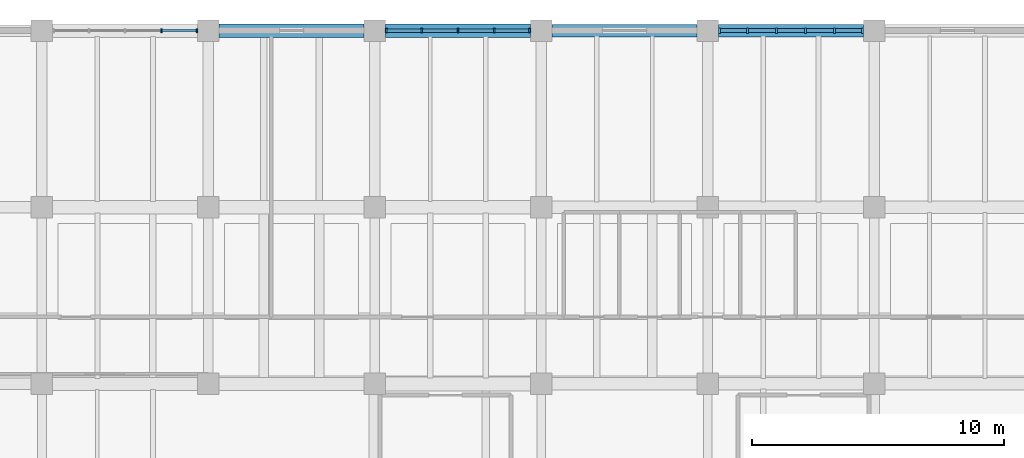
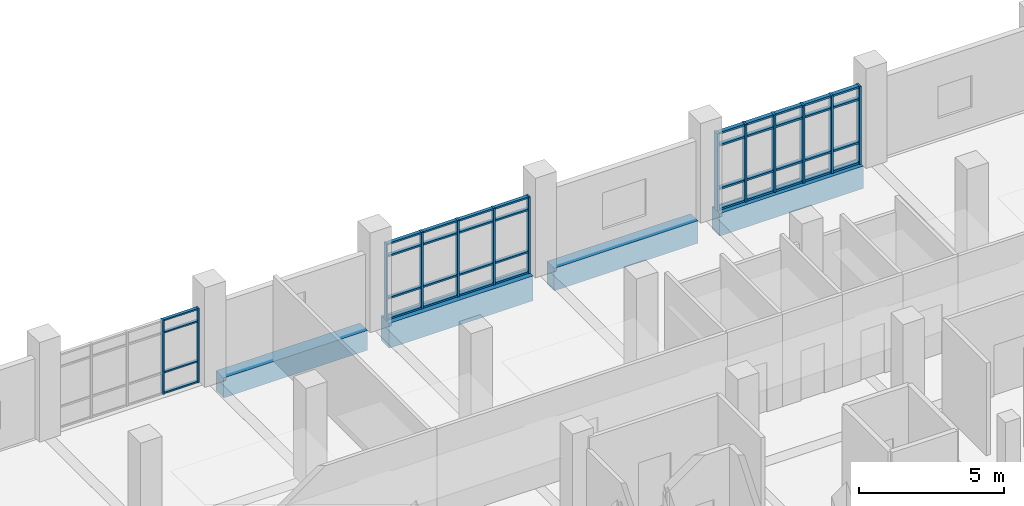
# One storey, part 30 of 68: 53 members, 4 beams, 3 elements without a shape of their own.
"""IFC4 building model written with IfcOpenShell, lengths in metres."""

import ifcopenshell
import ifcopenshell.guid

model = None  # the IFC model being written
_history = None  # IfcOwnerHistory: only IFC2X3 demands one
_inside = {}  # id of a spatial element -> (the spatial element, [elements in it])
_under = {}  # id of a project, library or spatial element -> (it, [spatial elements below it])
_declared = {}  # id of a project -> (the project, [libraries it declares])
_typed = {}  # id of a type object -> (the type object, [elements of that type])
_made_of = {}  # id of a material, layer set ... -> (it, [elements and type objects made of it])


def new_model(schema):
    """Start an empty IFC model of exactly this schema.

    Asked for "IFC4X3", IfcOpenShell would pick the latest addendum, in which some entities
    have other attributes; the version numbers below select the first issue.
    IFC2X3 requires an IfcOwnerHistory on every rooted entity: one is made here for all.
    """
    global model, _history
    if schema == "IFC4X3":
        model = ifcopenshell.file(schema_version=(4, 3, 0, 0))
    else:
        model = ifcopenshell.file(schema=schema)
    _inside.clear()
    _under.clear()
    _declared.clear()
    _typed.clear()
    _made_of.clear()
    _history = None
    if model.schema == "IFC2X3":
        org = make("IfcOrganization", Name="unknown")
        user = make(
            "IfcPersonAndOrganization",
            ThePerson=make("IfcPerson", FamilyName="unknown"),
            TheOrganization=org,
        )
        app = make(
            "IfcApplication",
            ApplicationDeveloper=org,
            Version="unknown",
            ApplicationFullName="unknown",
            ApplicationIdentifier="unknown",
        )
        _history = make(
            "IfcOwnerHistory",
            OwningUser=user,
            OwningApplication=app,
            ChangeAction="ADDED",
            CreationDate=0,
        )
    return model


def make(cls, **values):
    """One entity of the class cls with the attributes given. An attribute that is None is left unset."""
    return model.create_entity(
        cls, **{name: value for name, value in values.items() if value is not None}
    )


def rooted(cls, **values):
    """An entity with a GlobalId (a new one), such as an element, a storey or a relation."""
    return make(cls, GlobalId=ifcopenshell.guid.new(), OwnerHistory=_history, **values)


def si_unit(unit_type, name, prefix=None):
    """IfcSIUnit, for example si_unit("LENGTHUNIT", "METRE", prefix="MILLI")."""
    return make("IfcSIUnit", UnitType=unit_type, Prefix=prefix, Name=name)


def assignment(units):
    """IfcUnitAssignment: the units of a project."""
    return None if units is None else make("IfcUnitAssignment", Units=units)


def point(xyz):
    """IfcCartesianPoint."""
    return None if xyz is None else make("IfcCartesianPoint", Coordinates=xyz)


def direction(xyz):
    """IfcDirection."""
    return None if xyz is None else make("IfcDirection", DirectionRatios=xyz)


def frame(location, z_axis=None, x_axis=None):
    """IfcAxis2Placement3D, a coordinate frame: its origin and axes. An axis left out is left unset."""
    return make(
        "IfcAxis2Placement3D",
        Location=point(location),
        Axis=direction(z_axis),
        RefDirection=direction(x_axis),
    )


def frame_2d(location, x_axis=None):
    """IfcAxis2Placement2D, a coordinate frame in the plane: its origin and x axis."""
    return make(
        "IfcAxis2Placement2D", Location=point(location), RefDirection=direction(x_axis)
    )


def origin():
    """The frame at (0, 0, 0) with its axes left unset."""
    return frame((0.0, 0.0, 0.0))


def origin_2d():
    """The frame at (0, 0) in the plane with its x axis left unset."""
    return frame_2d((0.0, 0.0))


def place(relative_to, where):
    """IfcLocalPlacement: puts the frame where relative to a parent placement (None: the world)."""
    return make(
        "IfcLocalPlacement", PlacementRelTo=relative_to, RelativePlacement=where
    )


def context(
    kind, dimensions, precision=None, world=None, true_north=None, identifier=None
):
    """IfcGeometricRepresentationContext, for example the 3D "Model" context."""
    return make(
        "IfcGeometricRepresentationContext",
        ContextIdentifier=identifier,
        ContextType=kind,
        CoordinateSpaceDimension=dimensions,
        Precision=precision,
        WorldCoordinateSystem=world,
        TrueNorth=true_north,
    )


def subcontext(parent, identifier, kind, view, scale=None):
    """IfcGeometricRepresentationSubContext, for example "Body" below "Model"."""
    return make(
        "IfcGeometricRepresentationSubContext",
        ContextIdentifier=identifier,
        ContextType=kind,
        ParentContext=parent,
        TargetScale=scale,
        TargetView=view,
    )


def project(units=None, contexts=None):
    """IfcProject with its units and contexts."""
    return rooted(
        "IfcProject",
        Name="project",
        RepresentationContexts=contexts,
        UnitsInContext=assignment(units),
    )


def spatial(cls, under=None, at=None, **own):
    """A site, building, storey or space (cls), placed at a placement, below another one or the project."""
    s = rooted(cls, ObjectPlacement=at, **own)
    if under is not None:
        _under.setdefault(under.id(), (under, []))[1].append(s)
    return s


def profile(cls, at=None, kind="AREA", **sizes):
    """A parametric profile (cls). Its sizes go by their IFC names, for example OverallWidth=200.0."""
    return make(cls, ProfileType=kind, Position=at, **sizes)


def rectangle(**sizes):
    """IfcRectangleProfileDef."""
    return profile("IfcRectangleProfileDef", **sizes)


def extrude(swept, where, along, depth):
    """IfcExtrudedAreaSolid: the profile swept, set in the frame where, extruded along a direction by depth."""
    return make(
        "IfcExtrudedAreaSolid",
        SweptArea=swept,
        Position=where,
        ExtrudedDirection=direction(along),
        Depth=depth,
    )


def shape(context_of_items, identifier, shape_type, items):
    """IfcShapeRepresentation: the items that make up one representation, for example the "Body"."""
    return make(
        "IfcShapeRepresentation",
        ContextOfItems=context_of_items,
        RepresentationIdentifier=identifier,
        RepresentationType=shape_type,
        Items=items,
    )


def material(Name=None, Category=None):
    """IfcMaterial."""
    return make("IfcMaterial", Name=Name, Category=Category)


def material_profile(
    of_material, cross_section, Name=None, Category=None, Priority=None
):
    """IfcMaterialProfile: a cross section and its material."""
    return make(
        "IfcMaterialProfile",
        Name=Name,
        Material=of_material,
        Profile=cross_section,
        Priority=Priority,
        Category=Category,
    )


def profile_set(profiles, Name=None, composite=None):
    """IfcMaterialProfileSet."""
    return make(
        "IfcMaterialProfileSet",
        Name=Name,
        MaterialProfiles=profiles,
        CompositeProfile=composite,
    )


def made_of(thing, what):
    """Note that an element or type object is made of a material, layer set ...; save() writes the relation."""
    if what is not None:
        _made_of.setdefault(what.id(), (what, []))[1].append(thing)
    return thing


def type_object(cls, material=None, **own):
    """A type object (cls), such as IfcWallType, which elements share."""
    return made_of(rooted(cls, **own), material)


def element(
    cls,
    number,
    at=None,
    inside=None,
    cuts=None,
    type_object=None,
    material=None,
    context=None,
    identifier="Body",
    shape_type=None,
    held_by="IfcProductDefinitionShape",
    body=None,
    shapes=None,
    **own,
):
    """One element of the class cls, such as IfcWall. Its Tag is "e" and its number.

    at: its placement. inside: the storey or other place that contains it. cuts: it is an
    opening in that element (IfcRelVoidsElement). A single representation is given by context,
    identifier, shape_type and body (its items); several are given by shapes. held_by: the class
    of the entity that holds the representations. save() writes the other relations.
    """
    e = rooted(cls, Tag="e%d" % number, ObjectPlacement=at, **own)
    if body is not None:
        shapes = [shape(context, identifier, shape_type, body)]
    if shapes is not None:
        e.Representation = make(held_by, Representations=shapes)
    if inside is not None:
        _inside.setdefault(inside.id(), (inside, []))[1].append(e)
    if cuts is not None:
        rooted(
            "IfcRelVoidsElement", RelatingBuildingElement=cuts, RelatedOpeningElement=e
        )
    if type_object is not None:
        _typed.setdefault(type_object.id(), (type_object, []))[1].append(e)
    return made_of(e, material)


def aggregate(whole, parts):
    """IfcRelAggregates: a whole, such as a stair, and the parts it consists of."""
    return rooted("IfcRelAggregates", RelatingObject=whole, RelatedObjects=parts)


def save(model, path):
    """Write the relations noted so far, then the file.

    IfcRelAggregates (storeys below a building ...), IfcRelContainedInSpatialStructure (elements
    in a storey), IfcRelDefinesByType, IfcRelAssociatesMaterial and IfcRelDeclares: one each for
    every whole, place, type object, material and project.
    """
    for whole, parts in _under.values():
        aggregate(whole, parts)
    for where, things in _inside.values():
        rooted(
            "IfcRelContainedInSpatialStructure",
            RelatedElements=things,
            RelatingStructure=where,
        )
    for kind, things in _typed.values():
        rooted("IfcRelDefinesByType", RelatedObjects=things, RelatingType=kind)
    for what, things in _made_of.values():
        rooted("IfcRelAssociatesMaterial", RelatedObjects=things, RelatingMaterial=what)
    for by, libraries in _declared.values():
        rooted("IfcRelDeclares", RelatingContext=by, RelatedDefinitions=libraries)
    model.write(path)


model = new_model("IFC4")

# Units and contexts
model_context = context("Model", 3, precision=1e-05, world=origin(), true_north=direction((0.0, 1.0)))
body_context = subcontext(model_context, "Body", "Model", "MODEL_VIEW")
ifc_project = project(units=[si_unit("LENGTHUNIT", "METRE"), si_unit("AREAUNIT", "SQUARE_METRE"), si_unit("VOLUMEUNIT", "CUBIC_METRE"), si_unit("PLANEANGLEUNIT", "RADIAN"), si_unit("MASSUNIT", "GRAM", prefix="KILO")], contexts=[model_context])

# Site, building, storey
site_placement = place(None, origin())
site = spatial("IfcSite", under=ifc_project, at=site_placement, CompositionType="ELEMENT")
building_placement = place(site_placement, origin())
building = spatial("IfcBuilding", under=site, at=building_placement, Name="Ciguamira Faculty of Natural Sciences", CompositionType="ELEMENT")
storey_placement = place(building_placement, frame((0.0, 0.0, 4.199951171875)))
storey = spatial("IfcBuildingStorey", under=building, at=storey_placement, Name="L01", CompositionType="ELEMENT", Elevation=4.199951171875)

# Curtain wall, members
ifc_material_1 = material(Name="Anodized aluminium curtain wall", Category="aluminium")
curtain_wall_type_1 = type_object("IfcCurtainWallType", Name="CurtainWall_CW-10", PredefinedType="USERDEFINED", material=ifc_material_1)
curtain_wall_1_placement = place(storey_placement, origin())
curtain_wall_1 = element("IfcCurtainWall", 1, at=curtain_wall_1_placement, inside=storey, type_object=curtain_wall_type_1, Name="L01 unitised curtain wall 0046", ObjectType="UNITISED CURTAIN WALL", PredefinedType="USERDEFINED")
ifc_material_2 = material(Name="Anodized aluminium mullion", Category="aluminium")
ifc_material_profile_1 = material_profile(ifc_material_2, rectangle(XDim=0.06005859375, YDim=0.159912109375, at=origin_2d()), Name="ALU-MUL-60X160")
ifc_profile_set_1 = profile_set([ifc_material_profile_1], Name="Anodized aluminium mullion")
member_type_1 = type_object("IfcMemberType", Name="CWMullion_CWM-01", PredefinedType="MULLION", material=ifc_profile_set_1)
member_1_placement = place(storey_placement, frame((68.637451171875, 115.0, 0.0), z_axis=(0.0, 0.0, 1.0), x_axis=(1.0, 0.0, 0.0)))
member_1 = element("IfcMember", 2, at=member_1_placement, type_object=member_type_1, Name="CW-10 mullion 4", PredefinedType="MULLION", context=body_context, shape_type="SweptSolid", body=[
    extrude(rectangle(XDim=0.06005859375, YDim=0.159912109375, at=origin_2d()), origin(), (0.0, 0.0, 1.0), 3.135009765625),
])
member_2_placement = place(storey_placement, frame((70.044921875, 115.0, 0.0), z_axis=(0.0, 0.0, 1.0), x_axis=(1.0, 0.0, 0.0)))
member_2 = element("IfcMember", 3, at=member_2_placement, type_object=member_type_1, Name="CW-10 mullion 5", PredefinedType="MULLION", context=body_context, shape_type="SweptSolid", body=[
    extrude(rectangle(XDim=0.06005859375, YDim=0.159912109375, at=origin_2d()), origin(), (0.0, 0.0, 1.0), 3.135009765625),
])

curtain_wall_type_2 = type_object("IfcCurtainWallType", Name="CurtainWall_CW-11", PredefinedType="USERDEFINED", material=ifc_material_1)
curtain_wall_2_placement = place(storey_placement, origin())
curtain_wall_2 = element("IfcCurtainWall", 4, at=curtain_wall_2_placement, inside=storey, type_object=curtain_wall_type_2, Name="L01 unitised curtain wall 0047", ObjectType="UNITISED CURTAIN WALL", PredefinedType="USERDEFINED")
ifc_material_profile_2 = material_profile(ifc_material_2, rectangle(XDim=0.070068359375, YDim=0.179931640625, at=origin_2d()), Name="ALU-MUL-70X180")
ifc_profile_set_2 = profile_set([ifc_material_profile_2], Name="Anodized aluminium mullion")
member_type_2 = type_object("IfcMemberType", Name="CWMullion_CWM-02", PredefinedType="MULLION", material=ifc_profile_set_2)
member_3_placement = place(storey_placement, frame((77.56005859375, 115.0, 0.0), z_axis=(0.0, 0.0, 1.0), x_axis=(1.0, 0.0, 0.0)))
member_3 = element("IfcMember", 5, at=member_3_placement, type_object=member_type_2, Name="CW-11 mullion 1", PredefinedType="MULLION", context=body_context, shape_type="SweptSolid", body=[
    extrude(rectangle(XDim=0.070068359375, YDim=0.179931640625, at=origin_2d()), origin(), (0.0, 0.0, 1.0), 3.235107421875),
])
member_4_placement = place(storey_placement, frame((78.96240234375, 115.0, 0.0), z_axis=(0.0, 0.0, 1.0), x_axis=(1.0, 0.0, 0.0)))
member_4 = element("IfcMember", 6, at=member_4_placement, type_object=member_type_2, Name="CW-11 mullion 2", PredefinedType="MULLION", context=body_context, shape_type="SweptSolid", body=[
    extrude(rectangle(XDim=0.070068359375, YDim=0.179931640625, at=origin_2d()), origin(), (0.0, 0.0, 1.0), 3.235107421875),
])
member_5_placement = place(storey_placement, frame((80.39990234375, 115.0, 0.0), z_axis=(0.0, 0.0, 1.0), x_axis=(1.0, 0.0, 0.0)))
member_5 = element("IfcMember", 7, at=member_5_placement, type_object=member_type_2, Name="CW-11 mullion 3", PredefinedType="MULLION", context=body_context, shape_type="SweptSolid", body=[
    extrude(rectangle(XDim=0.070068359375, YDim=0.179931640625, at=origin_2d()), origin(), (0.0, 0.0, 1.0), 3.235107421875),
])
member_6_placement = place(storey_placement, frame((81.83740234375, 115.0, 0.0), z_axis=(0.0, 0.0, 1.0), x_axis=(1.0, 0.0, 0.0)))
member_6 = element("IfcMember", 8, at=member_6_placement, type_object=member_type_2, Name="CW-11 mullion 4", PredefinedType="MULLION", context=body_context, shape_type="SweptSolid", body=[
    extrude(rectangle(XDim=0.070068359375, YDim=0.179931640625, at=origin_2d()), origin(), (0.0, 0.0, 1.0), 3.235107421875),
])
member_7_placement = place(storey_placement, frame((83.239990234375, 115.0, 0.0), z_axis=(0.0, 0.0, 1.0), x_axis=(1.0, 0.0, 0.0)))
member_7 = element("IfcMember", 9, at=member_7_placement, type_object=member_type_2, Name="CW-11 mullion 5", PredefinedType="MULLION", context=body_context, shape_type="SweptSolid", body=[
    extrude(rectangle(XDim=0.070068359375, YDim=0.179931640625, at=origin_2d()), origin(), (0.0, 0.0, 1.0), 3.235107421875),
])

curtain_wall_type_3 = type_object("IfcCurtainWallType", Name="CurtainWall_CW-12", PredefinedType="USERDEFINED", material=ifc_material_1)
curtain_wall_3_placement = place(storey_placement, origin())
curtain_wall_3 = element("IfcCurtainWall", 10, at=curtain_wall_3_placement, inside=storey, type_object=curtain_wall_type_3, Name="L01 unitised curtain wall 0048", ObjectType="UNITISED CURTAIN WALL", PredefinedType="USERDEFINED")
ifc_material_profile_3 = material_profile(ifc_material_2, rectangle(XDim=0.080078125, YDim=0.219970703125, at=origin_2d()), Name="ALU-MUL-80X220")
ifc_profile_set_3 = profile_set([ifc_material_profile_3], Name="Anodized aluminium mullion")
member_type_3 = type_object("IfcMemberType", Name="CWMullion_CWM-03", PredefinedType="MULLION", material=ifc_profile_set_3)
member_8_placement = place(storey_placement, frame((90.764892578125, 115.0, 0.0), z_axis=(0.0, 0.0, 1.0), x_axis=(1.0, 0.0, 0.0)))
member_8 = element("IfcMember", 11, at=member_8_placement, type_object=member_type_3, Name="CW-12 mullion 1", PredefinedType="MULLION", context=body_context, shape_type="SweptSolid", body=[
    extrude(rectangle(XDim=0.080078125, YDim=0.219970703125, at=origin_2d()), origin(), (0.0, 0.0, 1.0), 3.28515625),
])
member_9_placement = place(storey_placement, frame((91.875, 115.0, 0.0), z_axis=(0.0, 0.0, 1.0), x_axis=(1.0, 0.0, 0.0)))
member_9 = element("IfcMember", 12, at=member_9_placement, type_object=member_type_3, Name="CW-12 mullion 2", PredefinedType="MULLION", context=body_context, shape_type="SweptSolid", body=[
    extrude(rectangle(XDim=0.080078125, YDim=0.219970703125, at=origin_2d()), origin(), (0.0, 0.0, 1.0), 3.28515625),
])
member_10_placement = place(storey_placement, frame((93.02490234375, 115.0, 0.0), z_axis=(0.0, 0.0, 1.0), x_axis=(1.0, 0.0, 0.0)))
member_10 = element("IfcMember", 13, at=member_10_placement, type_object=member_type_3, Name="CW-12 mullion 3", PredefinedType="MULLION", context=body_context, shape_type="SweptSolid", body=[
    extrude(rectangle(XDim=0.080078125, YDim=0.219970703125, at=origin_2d()), origin(), (0.0, 0.0, 1.0), 3.28515625),
])
member_11_placement = place(storey_placement, frame((94.175048828125, 115.0, 0.0), z_axis=(0.0, 0.0, 1.0), x_axis=(1.0, 0.0, 0.0)))
member_11 = element("IfcMember", 14, at=member_11_placement, type_object=member_type_3, Name="CW-12 mullion 4", PredefinedType="MULLION", context=body_context, shape_type="SweptSolid", body=[
    extrude(rectangle(XDim=0.080078125, YDim=0.219970703125, at=origin_2d()), origin(), (0.0, 0.0, 1.0), 3.28515625),
])
member_12_placement = place(storey_placement, frame((95.324951171875, 115.0, 0.0), z_axis=(0.0, 0.0, 1.0), x_axis=(1.0, 0.0, 0.0)))
member_12 = element("IfcMember", 15, at=member_12_placement, type_object=member_type_3, Name="CW-12 mullion 5", PredefinedType="MULLION", context=body_context, shape_type="SweptSolid", body=[
    extrude(rectangle(XDim=0.080078125, YDim=0.219970703125, at=origin_2d()), origin(), (0.0, 0.0, 1.0), 3.28515625),
])
member_13_placement = place(storey_placement, frame((96.43505859375, 115.0, 0.0), z_axis=(0.0, 0.0, 1.0), x_axis=(1.0, 0.0, 0.0)))
member_13 = element("IfcMember", 16, at=member_13_placement, type_object=member_type_3, Name="CW-12 mullion 6", PredefinedType="MULLION", context=body_context, shape_type="SweptSolid", body=[
    extrude(rectangle(XDim=0.080078125, YDim=0.219970703125, at=origin_2d()), origin(), (0.0, 0.0, 1.0), 3.28515625),
])

# Member
ifc_material_3 = material(Name="Anodized aluminium transom", Category="aluminium")
ifc_material_profile_4 = material_profile(ifc_material_3, rectangle(XDim=0.06005859375, YDim=0.1201171875, at=origin_2d()), Name="ALU-TRN-60X120")
ifc_profile_set_4 = profile_set([ifc_material_profile_4], Name="Anodized aluminium transom")
member_type_4 = type_object("IfcMemberType", Name="CWTransom_CWT-01", PredefinedType="USERDEFINED", material=ifc_profile_set_4)
member_14_placement = place(storey_placement, frame((68.66748046875, 115.0, 0.030029296875), z_axis=(1.0, 0.0, 0.0), x_axis=(0.0, 0.0, 1.0)))
member_14 = element("IfcMember", 17, at=member_14_placement, type_object=member_type_4, Name="CW-10 transom 4.1", ObjectType="TRANSOM", PredefinedType="USERDEFINED", context=body_context, shape_type="SweptSolid", body=[
    extrude(rectangle(XDim=0.06005859375, YDim=0.1201171875, at=origin_2d()), origin(), (0.0, 0.0, 1.0), 1.347412109375),
])

member_15_placement = place(storey_placement, frame((68.66748046875, 115.0, 0.900146484375), z_axis=(1.0, 0.0, 0.0), x_axis=(0.0, 0.0, 1.0)))
member_15 = element("IfcMember", 18, at=member_15_placement, type_object=member_type_4, Name="CW-10 transom 4.2", ObjectType="TRANSOM", PredefinedType="USERDEFINED", context=body_context, shape_type="SweptSolid", body=[
    extrude(rectangle(XDim=0.06005859375, YDim=0.1201171875, at=origin_2d()), origin(), (0.0, 0.0, 1.0), 1.347412109375),
])

member_16_placement = place(storey_placement, frame((68.66748046875, 115.0, 2.5849609375), z_axis=(1.0, 0.0, 0.0), x_axis=(0.0, 0.0, 1.0)))
member_16 = element("IfcMember", 19, at=member_16_placement, type_object=member_type_4, Name="CW-10 transom 4.3", ObjectType="TRANSOM", PredefinedType="USERDEFINED", context=body_context, shape_type="SweptSolid", body=[
    extrude(rectangle(XDim=0.06005859375, YDim=0.1201171875, at=origin_2d()), origin(), (0.0, 0.0, 1.0), 1.347412109375),
])

member_17_placement = place(storey_placement, frame((68.66748046875, 115.0, 3.10498046875), z_axis=(1.0, 0.0, 0.0), x_axis=(0.0, 0.0, 1.0)))
member_17 = element("IfcMember", 20, at=member_17_placement, type_object=member_type_4, Name="CW-10 transom 4.4", ObjectType="TRANSOM", PredefinedType="USERDEFINED", context=body_context, shape_type="SweptSolid", body=[
    extrude(rectangle(XDim=0.06005859375, YDim=0.1201171875, at=origin_2d()), origin(), (0.0, 0.0, 1.0), 1.347412109375),
])

aggregate(curtain_wall_1, [member_1, member_2, member_14, member_15, member_16, member_17])

ifc_material_profile_5 = material_profile(ifc_material_3, rectangle(XDim=0.070068359375, YDim=0.139892578125, at=origin_2d()), Name="ALU-TRN-70X140")
ifc_profile_set_5 = profile_set([ifc_material_profile_5], Name="Anodized aluminium transom")
member_type_5 = type_object("IfcMemberType", Name="CWTransom_CWT-02", PredefinedType="USERDEFINED", material=ifc_profile_set_5)
member_18_placement = place(storey_placement, frame((77.594970703125, 115.0, 0.03515625), z_axis=(1.0, 0.0, 0.0), x_axis=(0.0, 0.0, 1.0)))
member_18 = element("IfcMember", 21, at=member_18_placement, type_object=member_type_5, Name="CW-11 transom 1.1", ObjectType="TRANSOM", PredefinedType="USERDEFINED", context=body_context, shape_type="SweptSolid", body=[
    extrude(rectangle(XDim=0.070068359375, YDim=0.139892578125, at=origin_2d()), origin(), (0.0, 0.0, 1.0), 1.33251953125),
])

member_19_placement = place(storey_placement, frame((77.594970703125, 115.0, 0.900146484375), z_axis=(1.0, 0.0, 0.0), x_axis=(0.0, 0.0, 1.0)))
member_19 = element("IfcMember", 22, at=member_19_placement, type_object=member_type_5, Name="CW-11 transom 1.2", ObjectType="TRANSOM", PredefinedType="USERDEFINED", context=body_context, shape_type="SweptSolid", body=[
    extrude(rectangle(XDim=0.070068359375, YDim=0.139892578125, at=origin_2d()), origin(), (0.0, 0.0, 1.0), 1.33251953125),
])

member_20_placement = place(storey_placement, frame((77.594970703125, 115.0, 2.68505859375), z_axis=(1.0, 0.0, 0.0), x_axis=(0.0, 0.0, 1.0)))
member_20 = element("IfcMember", 23, at=member_20_placement, type_object=member_type_5, Name="CW-11 transom 1.3", ObjectType="TRANSOM", PredefinedType="USERDEFINED", context=body_context, shape_type="SweptSolid", body=[
    extrude(rectangle(XDim=0.070068359375, YDim=0.139892578125, at=origin_2d()), origin(), (0.0, 0.0, 1.0), 1.33251953125),
])

member_21_placement = place(storey_placement, frame((77.594970703125, 115.0, 3.199951171875), z_axis=(1.0, 0.0, 0.0), x_axis=(0.0, 0.0, 1.0)))
member_21 = element("IfcMember", 24, at=member_21_placement, type_object=member_type_5, Name="CW-11 transom 1.4", ObjectType="TRANSOM", PredefinedType="USERDEFINED", context=body_context, shape_type="SweptSolid", body=[
    extrude(rectangle(XDim=0.070068359375, YDim=0.139892578125, at=origin_2d()), origin(), (0.0, 0.0, 1.0), 1.33251953125),
])

member_22_placement = place(storey_placement, frame((78.99755859375, 115.0, 0.03515625), z_axis=(1.0, 0.0, 0.0), x_axis=(0.0, 0.0, 1.0)))
member_22 = element("IfcMember", 25, at=member_22_placement, type_object=member_type_5, Name="CW-11 transom 2.1", ObjectType="TRANSOM", PredefinedType="USERDEFINED", context=body_context, shape_type="SweptSolid", body=[
    extrude(rectangle(XDim=0.070068359375, YDim=0.139892578125, at=origin_2d()), origin(), (0.0, 0.0, 1.0), 1.367431640625),
])

member_23_placement = place(storey_placement, frame((78.99755859375, 115.0, 0.900146484375), z_axis=(1.0, 0.0, 0.0), x_axis=(0.0, 0.0, 1.0)))
member_23 = element("IfcMember", 26, at=member_23_placement, type_object=member_type_5, Name="CW-11 transom 2.2", ObjectType="TRANSOM", PredefinedType="USERDEFINED", context=body_context, shape_type="SweptSolid", body=[
    extrude(rectangle(XDim=0.070068359375, YDim=0.139892578125, at=origin_2d()), origin(), (0.0, 0.0, 1.0), 1.367431640625),
])

member_24_placement = place(storey_placement, frame((78.99755859375, 115.0, 2.68505859375), z_axis=(1.0, 0.0, 0.0), x_axis=(0.0, 0.0, 1.0)))
member_24 = element("IfcMember", 27, at=member_24_placement, type_object=member_type_5, Name="CW-11 transom 2.3", ObjectType="TRANSOM", PredefinedType="USERDEFINED", context=body_context, shape_type="SweptSolid", body=[
    extrude(rectangle(XDim=0.070068359375, YDim=0.139892578125, at=origin_2d()), origin(), (0.0, 0.0, 1.0), 1.367431640625),
])

member_25_placement = place(storey_placement, frame((78.99755859375, 115.0, 3.199951171875), z_axis=(1.0, 0.0, 0.0), x_axis=(0.0, 0.0, 1.0)))
member_25 = element("IfcMember", 28, at=member_25_placement, type_object=member_type_5, Name="CW-11 transom 2.4", ObjectType="TRANSOM", PredefinedType="USERDEFINED", context=body_context, shape_type="SweptSolid", body=[
    extrude(rectangle(XDim=0.070068359375, YDim=0.139892578125, at=origin_2d()), origin(), (0.0, 0.0, 1.0), 1.367431640625),
])

member_26_placement = place(storey_placement, frame((80.43505859375, 115.0, 0.03515625), z_axis=(1.0, 0.0, 0.0), x_axis=(0.0, 0.0, 1.0)))
member_26 = element("IfcMember", 29, at=member_26_placement, type_object=member_type_5, Name="CW-11 transom 3.1", ObjectType="TRANSOM", PredefinedType="USERDEFINED", context=body_context, shape_type="SweptSolid", body=[
    extrude(rectangle(XDim=0.070068359375, YDim=0.139892578125, at=origin_2d()), origin(), (0.0, 0.0, 1.0), 1.367431640625),
])

member_27_placement = place(storey_placement, frame((80.43505859375, 115.0, 0.900146484375), z_axis=(1.0, 0.0, 0.0), x_axis=(0.0, 0.0, 1.0)))
member_27 = element("IfcMember", 30, at=member_27_placement, type_object=member_type_5, Name="CW-11 transom 3.2", ObjectType="TRANSOM", PredefinedType="USERDEFINED", context=body_context, shape_type="SweptSolid", body=[
    extrude(rectangle(XDim=0.070068359375, YDim=0.139892578125, at=origin_2d()), origin(), (0.0, 0.0, 1.0), 1.367431640625),
])

member_28_placement = place(storey_placement, frame((80.43505859375, 115.0, 2.68505859375), z_axis=(1.0, 0.0, 0.0), x_axis=(0.0, 0.0, 1.0)))
member_28 = element("IfcMember", 31, at=member_28_placement, type_object=member_type_5, Name="CW-11 transom 3.3", ObjectType="TRANSOM", PredefinedType="USERDEFINED", context=body_context, shape_type="SweptSolid", body=[
    extrude(rectangle(XDim=0.070068359375, YDim=0.139892578125, at=origin_2d()), origin(), (0.0, 0.0, 1.0), 1.367431640625),
])

member_29_placement = place(storey_placement, frame((80.43505859375, 115.0, 3.199951171875), z_axis=(1.0, 0.0, 0.0), x_axis=(0.0, 0.0, 1.0)))
member_29 = element("IfcMember", 32, at=member_29_placement, type_object=member_type_5, Name="CW-11 transom 3.4", ObjectType="TRANSOM", PredefinedType="USERDEFINED", context=body_context, shape_type="SweptSolid", body=[
    extrude(rectangle(XDim=0.070068359375, YDim=0.139892578125, at=origin_2d()), origin(), (0.0, 0.0, 1.0), 1.367431640625),
])

member_30_placement = place(storey_placement, frame((81.87255859375, 115.0, 0.03515625), z_axis=(1.0, 0.0, 0.0), x_axis=(0.0, 0.0, 1.0)))
member_30 = element("IfcMember", 33, at=member_30_placement, type_object=member_type_5, Name="CW-11 transom 4.1", ObjectType="TRANSOM", PredefinedType="USERDEFINED", context=body_context, shape_type="SweptSolid", body=[
    extrude(rectangle(XDim=0.070068359375, YDim=0.139892578125, at=origin_2d()), origin(), (0.0, 0.0, 1.0), 1.33251953125),
])

member_31_placement = place(storey_placement, frame((81.87255859375, 115.0, 0.900146484375), z_axis=(1.0, 0.0, 0.0), x_axis=(0.0, 0.0, 1.0)))
member_31 = element("IfcMember", 34, at=member_31_placement, type_object=member_type_5, Name="CW-11 transom 4.2", ObjectType="TRANSOM", PredefinedType="USERDEFINED", context=body_context, shape_type="SweptSolid", body=[
    extrude(rectangle(XDim=0.070068359375, YDim=0.139892578125, at=origin_2d()), origin(), (0.0, 0.0, 1.0), 1.33251953125),
])

member_32_placement = place(storey_placement, frame((81.87255859375, 115.0, 2.68505859375), z_axis=(1.0, 0.0, 0.0), x_axis=(0.0, 0.0, 1.0)))
member_32 = element("IfcMember", 35, at=member_32_placement, type_object=member_type_5, Name="CW-11 transom 4.3", ObjectType="TRANSOM", PredefinedType="USERDEFINED", context=body_context, shape_type="SweptSolid", body=[
    extrude(rectangle(XDim=0.070068359375, YDim=0.139892578125, at=origin_2d()), origin(), (0.0, 0.0, 1.0), 1.33251953125),
])

member_33_placement = place(storey_placement, frame((81.87255859375, 115.0, 3.199951171875), z_axis=(1.0, 0.0, 0.0), x_axis=(0.0, 0.0, 1.0)))
member_33 = element("IfcMember", 36, at=member_33_placement, type_object=member_type_5, Name="CW-11 transom 4.4", ObjectType="TRANSOM", PredefinedType="USERDEFINED", context=body_context, shape_type="SweptSolid", body=[
    extrude(rectangle(XDim=0.070068359375, YDim=0.139892578125, at=origin_2d()), origin(), (0.0, 0.0, 1.0), 1.33251953125),
])

aggregate(curtain_wall_2, [member_3, member_4, member_5, member_6, member_7, member_18, member_19, member_20, member_21, member_22, member_23, member_24, member_25, member_26, member_27, member_28, member_29, member_30, member_31, member_32, member_33])

ifc_material_profile_6 = material_profile(ifc_material_3, rectangle(XDim=0.080078125, YDim=0.159912109375, at=origin_2d()), Name="ALU-TRN-80X160")
ifc_profile_set_6 = profile_set([ifc_material_profile_6], Name="Anodized aluminium transom")
member_type_6 = type_object("IfcMemberType", Name="CWTransom_CWT-03", PredefinedType="USERDEFINED", material=ifc_profile_set_6)
member_34_placement = place(storey_placement, frame((90.804931640625, 115.0, 0.0400390625), z_axis=(1.0, 0.0, 0.0), x_axis=(0.0, 0.0, 1.0)))
member_34 = element("IfcMember", 37, at=member_34_placement, type_object=member_type_6, Name="CW-12 transom 1.1", ObjectType="TRANSOM", PredefinedType="USERDEFINED", context=body_context, shape_type="SweptSolid", body=[
    extrude(rectangle(XDim=0.080078125, YDim=0.159912109375, at=origin_2d()), origin(), (0.0, 0.0, 1.0), 1.030029296875),
])

member_35_placement = place(storey_placement, frame((90.804931640625, 115.0, 0.900146484375), z_axis=(1.0, 0.0, 0.0), x_axis=(0.0, 0.0, 1.0)))
member_35 = element("IfcMember", 38, at=member_35_placement, type_object=member_type_6, Name="CW-12 transom 1.2", ObjectType="TRANSOM", PredefinedType="USERDEFINED", context=body_context, shape_type="SweptSolid", body=[
    extrude(rectangle(XDim=0.080078125, YDim=0.159912109375, at=origin_2d()), origin(), (0.0, 0.0, 1.0), 1.030029296875),
])

member_36_placement = place(storey_placement, frame((90.804931640625, 115.0, 2.735107421875), z_axis=(1.0, 0.0, 0.0), x_axis=(0.0, 0.0, 1.0)))
member_36 = element("IfcMember", 39, at=member_36_placement, type_object=member_type_6, Name="CW-12 transom 1.3", ObjectType="TRANSOM", PredefinedType="USERDEFINED", context=body_context, shape_type="SweptSolid", body=[
    extrude(rectangle(XDim=0.080078125, YDim=0.159912109375, at=origin_2d()), origin(), (0.0, 0.0, 1.0), 1.030029296875),
])

member_37_placement = place(storey_placement, frame((90.804931640625, 115.0, 3.2451171875), z_axis=(1.0, 0.0, 0.0), x_axis=(0.0, 0.0, 1.0)))
member_37 = element("IfcMember", 40, at=member_37_placement, type_object=member_type_6, Name="CW-12 transom 1.4", ObjectType="TRANSOM", PredefinedType="USERDEFINED", context=body_context, shape_type="SweptSolid", body=[
    extrude(rectangle(XDim=0.080078125, YDim=0.159912109375, at=origin_2d()), origin(), (0.0, 0.0, 1.0), 1.030029296875),
])

member_38_placement = place(storey_placement, frame((91.9150390625, 115.0, 0.0400390625), z_axis=(1.0, 0.0, 0.0), x_axis=(0.0, 0.0, 1.0)))
member_38 = element("IfcMember", 41, at=member_38_placement, type_object=member_type_6, Name="CW-12 transom 2.1", ObjectType="TRANSOM", PredefinedType="USERDEFINED", context=body_context, shape_type="SweptSolid", body=[
    extrude(rectangle(XDim=0.080078125, YDim=0.159912109375, at=origin_2d()), origin(), (0.0, 0.0, 1.0), 1.070068359375),
])

member_39_placement = place(storey_placement, frame((91.9150390625, 115.0, 0.900146484375), z_axis=(1.0, 0.0, 0.0), x_axis=(0.0, 0.0, 1.0)))
member_39 = element("IfcMember", 42, at=member_39_placement, type_object=member_type_6, Name="CW-12 transom 2.2", ObjectType="TRANSOM", PredefinedType="USERDEFINED", context=body_context, shape_type="SweptSolid", body=[
    extrude(rectangle(XDim=0.080078125, YDim=0.159912109375, at=origin_2d()), origin(), (0.0, 0.0, 1.0), 1.070068359375),
])

member_40_placement = place(storey_placement, frame((91.9150390625, 115.0, 2.735107421875), z_axis=(1.0, 0.0, 0.0), x_axis=(0.0, 0.0, 1.0)))
member_40 = element("IfcMember", 43, at=member_40_placement, type_object=member_type_6, Name="CW-12 transom 2.3", ObjectType="TRANSOM", PredefinedType="USERDEFINED", context=body_context, shape_type="SweptSolid", body=[
    extrude(rectangle(XDim=0.080078125, YDim=0.159912109375, at=origin_2d()), origin(), (0.0, 0.0, 1.0), 1.070068359375),
])

member_41_placement = place(storey_placement, frame((91.9150390625, 115.0, 3.2451171875), z_axis=(1.0, 0.0, 0.0), x_axis=(0.0, 0.0, 1.0)))
member_41 = element("IfcMember", 44, at=member_41_placement, type_object=member_type_6, Name="CW-12 transom 2.4", ObjectType="TRANSOM", PredefinedType="USERDEFINED", context=body_context, shape_type="SweptSolid", body=[
    extrude(rectangle(XDim=0.080078125, YDim=0.159912109375, at=origin_2d()), origin(), (0.0, 0.0, 1.0), 1.070068359375),
])

member_42_placement = place(storey_placement, frame((93.06494140625, 115.0, 0.0400390625), z_axis=(1.0, 0.0, 0.0), x_axis=(0.0, 0.0, 1.0)))
member_42 = element("IfcMember", 45, at=member_42_placement, type_object=member_type_6, Name="CW-12 transom 3.1", ObjectType="TRANSOM", PredefinedType="USERDEFINED", context=body_context, shape_type="SweptSolid", body=[
    extrude(rectangle(XDim=0.080078125, YDim=0.159912109375, at=origin_2d()), origin(), (0.0, 0.0, 1.0), 1.070068359375),
])

member_43_placement = place(storey_placement, frame((93.06494140625, 115.0, 0.900146484375), z_axis=(1.0, 0.0, 0.0), x_axis=(0.0, 0.0, 1.0)))
member_43 = element("IfcMember", 46, at=member_43_placement, type_object=member_type_6, Name="CW-12 transom 3.2", ObjectType="TRANSOM", PredefinedType="USERDEFINED", context=body_context, shape_type="SweptSolid", body=[
    extrude(rectangle(XDim=0.080078125, YDim=0.159912109375, at=origin_2d()), origin(), (0.0, 0.0, 1.0), 1.070068359375),
])

member_44_placement = place(storey_placement, frame((93.06494140625, 115.0, 2.735107421875), z_axis=(1.0, 0.0, 0.0), x_axis=(0.0, 0.0, 1.0)))
member_44 = element("IfcMember", 47, at=member_44_placement, type_object=member_type_6, Name="CW-12 transom 3.3", ObjectType="TRANSOM", PredefinedType="USERDEFINED", context=body_context, shape_type="SweptSolid", body=[
    extrude(rectangle(XDim=0.080078125, YDim=0.159912109375, at=origin_2d()), origin(), (0.0, 0.0, 1.0), 1.070068359375),
])

member_45_placement = place(storey_placement, frame((93.06494140625, 115.0, 3.2451171875), z_axis=(1.0, 0.0, 0.0), x_axis=(0.0, 0.0, 1.0)))
member_45 = element("IfcMember", 48, at=member_45_placement, type_object=member_type_6, Name="CW-12 transom 3.4", ObjectType="TRANSOM", PredefinedType="USERDEFINED", context=body_context, shape_type="SweptSolid", body=[
    extrude(rectangle(XDim=0.080078125, YDim=0.159912109375, at=origin_2d()), origin(), (0.0, 0.0, 1.0), 1.070068359375),
])

member_46_placement = place(storey_placement, frame((94.215087890625, 115.0, 0.0400390625), z_axis=(1.0, 0.0, 0.0), x_axis=(0.0, 0.0, 1.0)))
member_46 = element("IfcMember", 49, at=member_46_placement, type_object=member_type_6, Name="CW-12 transom 4.1", ObjectType="TRANSOM", PredefinedType="USERDEFINED", context=body_context, shape_type="SweptSolid", body=[
    extrude(rectangle(XDim=0.080078125, YDim=0.159912109375, at=origin_2d()), origin(), (0.0, 0.0, 1.0), 1.06982421875),
])

member_47_placement = place(storey_placement, frame((94.215087890625, 115.0, 0.900146484375), z_axis=(1.0, 0.0, 0.0), x_axis=(0.0, 0.0, 1.0)))
member_47 = element("IfcMember", 50, at=member_47_placement, type_object=member_type_6, Name="CW-12 transom 4.2", ObjectType="TRANSOM", PredefinedType="USERDEFINED", context=body_context, shape_type="SweptSolid", body=[
    extrude(rectangle(XDim=0.080078125, YDim=0.159912109375, at=origin_2d()), origin(), (0.0, 0.0, 1.0), 1.06982421875),
])

member_48_placement = place(storey_placement, frame((94.215087890625, 115.0, 2.735107421875), z_axis=(1.0, 0.0, 0.0), x_axis=(0.0, 0.0, 1.0)))
member_48 = element("IfcMember", 51, at=member_48_placement, type_object=member_type_6, Name="CW-12 transom 4.3", ObjectType="TRANSOM", PredefinedType="USERDEFINED", context=body_context, shape_type="SweptSolid", body=[
    extrude(rectangle(XDim=0.080078125, YDim=0.159912109375, at=origin_2d()), origin(), (0.0, 0.0, 1.0), 1.06982421875),
])

member_49_placement = place(storey_placement, frame((94.215087890625, 115.0, 3.2451171875), z_axis=(1.0, 0.0, 0.0), x_axis=(0.0, 0.0, 1.0)))
member_49 = element("IfcMember", 52, at=member_49_placement, type_object=member_type_6, Name="CW-12 transom 4.4", ObjectType="TRANSOM", PredefinedType="USERDEFINED", context=body_context, shape_type="SweptSolid", body=[
    extrude(rectangle(XDim=0.080078125, YDim=0.159912109375, at=origin_2d()), origin(), (0.0, 0.0, 1.0), 1.06982421875),
])

member_50_placement = place(storey_placement, frame((95.364990234375, 115.0, 0.0400390625), z_axis=(1.0, 0.0, 0.0), x_axis=(0.0, 0.0, 1.0)))
member_50 = element("IfcMember", 53, at=member_50_placement, type_object=member_type_6, Name="CW-12 transom 5.1", ObjectType="TRANSOM", PredefinedType="USERDEFINED", context=body_context, shape_type="SweptSolid", body=[
    extrude(rectangle(XDim=0.080078125, YDim=0.159912109375, at=origin_2d()), origin(), (0.0, 0.0, 1.0), 1.030029296875),
])

member_51_placement = place(storey_placement, frame((95.364990234375, 115.0, 0.900146484375), z_axis=(1.0, 0.0, 0.0), x_axis=(0.0, 0.0, 1.0)))
member_51 = element("IfcMember", 54, at=member_51_placement, type_object=member_type_6, Name="CW-12 transom 5.2", ObjectType="TRANSOM", PredefinedType="USERDEFINED", context=body_context, shape_type="SweptSolid", body=[
    extrude(rectangle(XDim=0.080078125, YDim=0.159912109375, at=origin_2d()), origin(), (0.0, 0.0, 1.0), 1.030029296875),
])

member_52_placement = place(storey_placement, frame((95.364990234375, 115.0, 2.735107421875), z_axis=(1.0, 0.0, 0.0), x_axis=(0.0, 0.0, 1.0)))
member_52 = element("IfcMember", 55, at=member_52_placement, type_object=member_type_6, Name="CW-12 transom 5.3", ObjectType="TRANSOM", PredefinedType="USERDEFINED", context=body_context, shape_type="SweptSolid", body=[
    extrude(rectangle(XDim=0.080078125, YDim=0.159912109375, at=origin_2d()), origin(), (0.0, 0.0, 1.0), 1.030029296875),
])

member_53_placement = place(storey_placement, frame((95.364990234375, 115.0, 3.2451171875), z_axis=(1.0, 0.0, 0.0), x_axis=(0.0, 0.0, 1.0)))
member_53 = element("IfcMember", 56, at=member_53_placement, type_object=member_type_6, Name="CW-12 transom 5.4", ObjectType="TRANSOM", PredefinedType="USERDEFINED", context=body_context, shape_type="SweptSolid", body=[
    extrude(rectangle(XDim=0.080078125, YDim=0.159912109375, at=origin_2d()), origin(), (0.0, 0.0, 1.0), 1.030029296875),
])

aggregate(curtain_wall_3, [member_8, member_9, member_10, member_11, member_12, member_13, member_34, member_35, member_36, member_37, member_38, member_39, member_40, member_41, member_42, member_43, member_44, member_45, member_46, member_47, member_48, member_49, member_50, member_51, member_52, member_53])

# Beams
ifc_material_4 = material(Name="Concrete C40/50", Category="concrete")
ifc_material_profile_7 = material_profile(ifc_material_4, rectangle(XDim=0.550048828125, YDim=1.050048828125, at=origin_2d()), Name="RC-BM-550X1050")
ifc_profile_set_7 = profile_set([ifc_material_profile_7], Name="Concrete C40/50")
beam_type_1 = type_object("IfcBeamType", Name="RCBeam_BG-01_RC-BM-550X1050", PredefinedType="BEAM", material=ifc_profile_set_7)
beam_1_placement = place(storey_placement, frame((77.52490234375, 115.0, -0.52490234375), z_axis=(1.0, 0.0, 0.0), x_axis=(0.0, 1.0, 0.0)))
element("IfcBeam", 57, at=beam_1_placement, inside=storey, type_object=beam_type_1, Name="L01 RC girder EW-0543", PredefinedType="BEAM", context=body_context, shape_type="SweptSolid", body=[
    extrude(rectangle(XDim=0.550048828125, YDim=1.050048828125, at=origin_2d()), origin(), (0.0, 0.0, 1.0), 5.75),
])
ifc_material_profile_8 = material_profile(ifc_material_4, rectangle(XDim=0.5, YDim=0.949951171875, at=origin_2d()), Name="RC-BM-500X950")
ifc_profile_set_8 = profile_set([ifc_material_profile_8], Name="Concrete C40/50")
beam_type_2 = type_object("IfcBeamType", Name="RCBeam_BG-02_RC-BM-500X950", PredefinedType="BEAM", material=ifc_profile_set_8)
for number, where, z_axis, x_axis, name in (
    (58, (84.125, 115.0, -0.474853515625), (1.0, 0.0, 0.0), (0.0, 1.0, 0.0), "L01 RC girder EW-0544"),
    (59, (90.72509765625, 115.0, -0.474853515625), (1.0, 0.0, 0.0), (0.0, 1.0, 0.0), "L01 RC girder EW-0545"),
):
    element("IfcBeam", number, at=place(storey_placement, frame(where, z_axis=z_axis, x_axis=x_axis)), inside=storey, type_object=beam_type_2, Name=name, PredefinedType="BEAM", context=body_context, shape_type="SweptSolid", body=[
        extrude(rectangle(XDim=0.5, YDim=0.949951171875, at=origin_2d()), origin(), (0.0, 0.0, 1.0), 5.75),
    ])
ifc_material_profile_9 = material_profile(ifc_material_4, rectangle(XDim=0.52001953125, YDim=0.840087890625, at=origin_2d()), Name="RC-TB-520X840")
ifc_profile_set_9 = profile_set([ifc_material_profile_9], Name="Concrete C40/50")
beam_type_3 = type_object("IfcBeamType", Name="RCBeam_TB-02_RC-TB-520X840", PredefinedType="T_BEAM", material=ifc_profile_set_9)
beam_2_placement = place(storey_placement, frame((70.925048828125, 115.0, -0.419921875), z_axis=(1.0, 0.0, 0.0), x_axis=(0.0, 1.0, 0.0)))
element("IfcBeam", 60, at=beam_2_placement, inside=storey, type_object=beam_type_3, Name="L01 RC girder EW-0542", PredefinedType="T_BEAM", context=body_context, shape_type="SweptSolid", body=[
    extrude(rectangle(XDim=0.52001953125, YDim=0.840087890625, at=origin_2d()), origin(), (0.0, 0.0, 1.0), 5.75),
])

save(model, "model.ifc")
